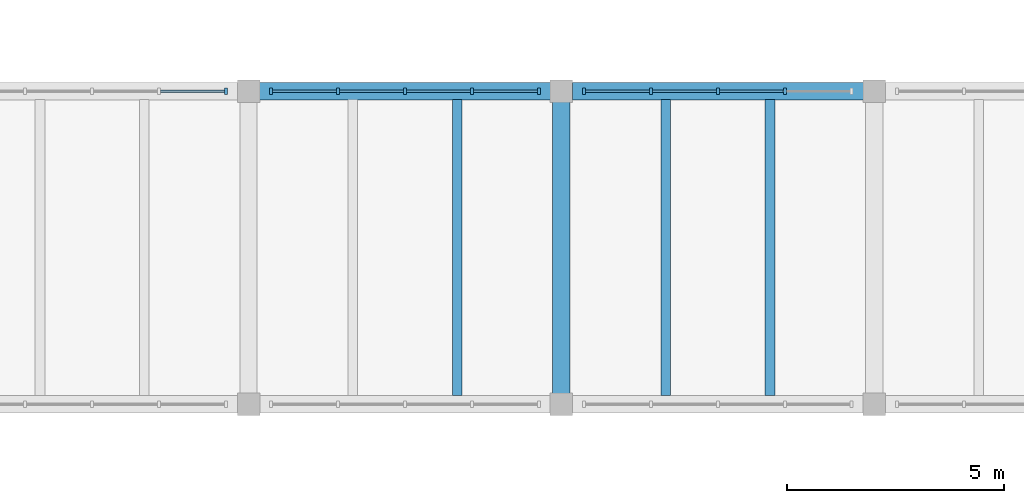
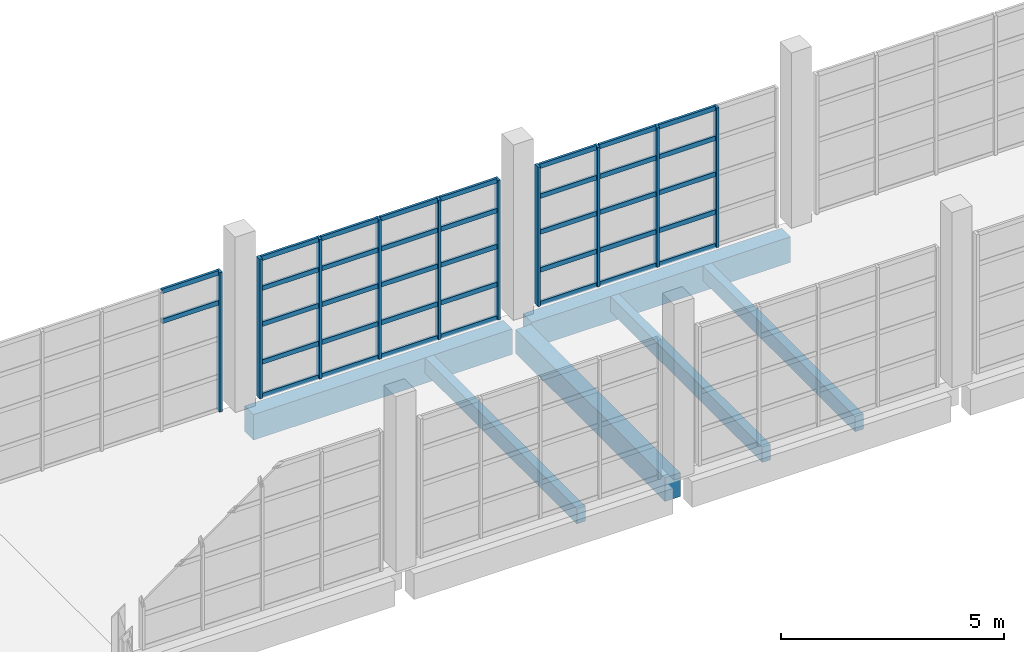
# One storey, part 40 of 77: 47 members, 6 beams, 3 elements without a shape of their own.
"""IFC4 building model written with IfcOpenShell, lengths in metres."""

from ifc_helpers import new_model, si_unit, direction, frame, origin, origin_2d, place, context, subcontext, project, spatial, rectangle, extrude, material, material_profile, profile_set, type_object, element, aggregate, save


model = new_model("IFC4")

# Units and contexts
model_context = context("Model", 3, precision=1e-05, world=origin(), true_north=direction((0.0, 1.0)))
body_context = subcontext(model_context, "Body", "Model", "MODEL_VIEW")
ifc_project = project(units=[si_unit("LENGTHUNIT", "METRE"), si_unit("AREAUNIT", "SQUARE_METRE"), si_unit("VOLUMEUNIT", "CUBIC_METRE"), si_unit("PLANEANGLEUNIT", "RADIAN"), si_unit("MASSUNIT", "GRAM", prefix="KILO")], contexts=[model_context])

# Site, building, storey
site_placement = place(None, origin())
site = spatial("IfcSite", under=ifc_project, at=site_placement, CompositionType="ELEMENT")
building_placement = place(site_placement, origin())
building = spatial("IfcBuilding", under=site, at=building_placement, Name="Qiaolan Assembly House", CompositionType="ELEMENT")
storey_placement = place(building_placement, frame((0.0, 0.0, 5.39990234375)))
storey = spatial("IfcBuildingStorey", under=building, at=storey_placement, Name="L01", CompositionType="ELEMENT", Elevation=5.39990234375)

# Beams
ifc_material_1 = material(Name="Concrete C40/50", Category="concrete")
ifc_material_profile_1 = material_profile(ifc_material_1, rectangle(XDim=0.39990234375, YDim=0.64990234375, at=origin_2d()), Name="RCB 400x650")
ifc_profile_set_1 = profile_set([ifc_material_profile_1], Name="Concrete C40/50")
beam_type_1 = type_object("IfcBeamType", Name="BM-RC-400x650", PredefinedType="BEAM", material=ifc_profile_set_1)
beam_1_placement = place(storey_placement, frame((122.39990234375, 79.449951171875, -0.594970703125), z_axis=(0.0, 1.0, 0.0), x_axis=(-1.0, 0.0, 0.0)))
element("IfcBeam", 1, at=beam_1_placement, inside=storey, type_object=beam_type_1, Name="GB-06 beam BMY-CLN-L01-02-00", PredefinedType="BEAM", context=body_context, shape_type="SweptSolid", body=[
    extrude(rectangle(XDim=0.39990234375, YDim=0.64990234375, at=origin_2d()), origin(), (0.0, 0.0, 1.0), 6.699951171875),
])
ifc_material_profile_2 = material_profile(ifc_material_1, rectangle(XDim=0.39990234375, YDim=0.699951171875, at=origin_2d()), Name="RCB 400x700")
ifc_profile_set_2 = profile_set([ifc_material_profile_2], Name="Concrete C40/50")
beam_type_2 = type_object("IfcBeamType", Name="BM-RC-400x700", PredefinedType="BEAM", material=ifc_profile_set_2)
beam_2_placement = place(storey_placement, frame((115.449951171875, 86.39990234375, -0.619873046875), z_axis=(1.0, 0.0, 0.0), x_axis=(0.0, 1.0, 0.0)))
element("IfcBeam", 2, at=beam_2_placement, inside=storey, type_object=beam_type_2, Name="GB-05 beam BMX-CLN-L01-01-01", PredefinedType="BEAM", context=body_context, shape_type="SweptSolid", body=[
    extrude(rectangle(XDim=0.39990234375, YDim=0.699951171875, at=origin_2d()), origin(), (0.0, 0.0, 1.0), 6.699951171875),
])
beam_3_placement = place(storey_placement, frame((122.64990234375, 86.39990234375, -0.619873046875), z_axis=(1.0, 0.0, 0.0), x_axis=(0.0, 1.0, 0.0)))
element("IfcBeam", 3, at=beam_3_placement, inside=storey, type_object=beam_type_2, Name="GB-05 beam BMX-CLN-L01-02-01", PredefinedType="BEAM", context=body_context, shape_type="SweptSolid", body=[
    extrude(rectangle(XDim=0.39990234375, YDim=0.699951171875, at=origin_2d()), origin(), (0.0, 0.0, 1.0), 6.7001953125),
])

# Curtain wall, member
ifc_material_2 = material(Name="Anodised bronze aluminium", Category="aluminium")
curtain_wall_type = type_object("IfcCurtainWallType", Name="CW-CLOISTER-420", PredefinedType="NOTDEFINED", material=ifc_material_2)
curtain_wall_1_placement = place(storey_placement, origin())
curtain_wall_1 = element("IfcCurtainWall", 4, at=curtain_wall_1_placement, inside=storey, type_object=curtain_wall_type, Name="CW-05 North Cloister outer arcade L01-1", PredefinedType="NOTDEFINED")
ifc_material_profile_3 = material_profile(ifc_material_2, rectangle(XDim=0.070068359375, YDim=0.155029296875, at=origin_2d()), Name="MUL 70x155")
ifc_profile_set_3 = profile_set([ifc_material_profile_3], Name="Anodised bronze aluminium")
member_type_1 = type_object("IfcMemberType", Name="CW-CLOISTER-420-MUL", PredefinedType="MULLION", material=ifc_profile_set_3)
member_1_placement = place(storey_placement, frame((114.679931640625, 86.39990234375, 0.0), z_axis=(0.0, 0.0, 1.0), x_axis=(-1.0, 0.0, 0.0)))
member_1 = element("IfcMember", 5, at=member_1_placement, type_object=member_type_1, Name="ML-06 mullion CW-CLN-OUT-L01-0-1", PredefinedType="MULLION", context=body_context, shape_type="SweptSolid", body=[
    extrude(rectangle(XDim=0.070068359375, YDim=0.155029296875, at=origin_2d()), origin(), (0.0, 0.0, 1.0), 3.820068359375),
])

# Curtain wall, members
curtain_wall_2_placement = place(storey_placement, origin())
curtain_wall_2 = element("IfcCurtainWall", 6, at=curtain_wall_2_placement, inside=storey, type_object=curtain_wall_type, Name="CW-05 North Cloister outer arcade L01-2", PredefinedType="NOTDEFINED")
member_2_placement = place(storey_placement, frame((121.8798828125, 86.39990234375, 0.0), z_axis=(0.0, 0.0, 1.0), x_axis=(-1.0, 0.0, 0.0)))
member_2 = element("IfcMember", 7, at=member_2_placement, type_object=member_type_1, Name="ML-06 mullion CW-CLN-OUT-L01-1-1", PredefinedType="MULLION", context=body_context, shape_type="SweptSolid", body=[
    extrude(rectangle(XDim=0.070068359375, YDim=0.155029296875, at=origin_2d()), origin(), (0.0, 0.0, 1.0), 3.820068359375),
])
member_3_placement = place(storey_placement, frame((120.340087890625, 86.39990234375, 0.0), z_axis=(0.0, 0.0, 1.0), x_axis=(-1.0, 0.0, 0.0)))
member_3 = element("IfcMember", 8, at=member_3_placement, type_object=member_type_1, Name="ML-06 mullion CW-CLN-OUT-L01-1-2", PredefinedType="MULLION", context=body_context, shape_type="SweptSolid", body=[
    extrude(rectangle(XDim=0.070068359375, YDim=0.155029296875, at=origin_2d()), origin(), (0.0, 0.0, 1.0), 3.820068359375),
])
member_4_placement = place(storey_placement, frame((118.800048828125, 86.39990234375, 0.0), z_axis=(0.0, 0.0, 1.0), x_axis=(-1.0, 0.0, 0.0)))
member_4 = element("IfcMember", 9, at=member_4_placement, type_object=member_type_1, Name="ML-06 mullion CW-CLN-OUT-L01-1-3", PredefinedType="MULLION", context=body_context, shape_type="SweptSolid", body=[
    extrude(rectangle(XDim=0.070068359375, YDim=0.155029296875, at=origin_2d()), origin(), (0.0, 0.0, 1.0), 3.820068359375),
])
member_5_placement = place(storey_placement, frame((117.260009765625, 86.39990234375, 0.0), z_axis=(0.0, 0.0, 1.0), x_axis=(-1.0, 0.0, 0.0)))
member_5 = element("IfcMember", 10, at=member_5_placement, type_object=member_type_1, Name="ML-06 mullion CW-CLN-OUT-L01-1-4", PredefinedType="MULLION", context=body_context, shape_type="SweptSolid", body=[
    extrude(rectangle(XDim=0.070068359375, YDim=0.155029296875, at=origin_2d()), origin(), (0.0, 0.0, 1.0), 3.820068359375),
])
member_6_placement = place(storey_placement, frame((115.719970703125, 86.39990234375, 0.0), z_axis=(0.0, 0.0, 1.0), x_axis=(-1.0, 0.0, 0.0)))
member_6 = element("IfcMember", 11, at=member_6_placement, type_object=member_type_1, Name="ML-06 mullion CW-CLN-OUT-L01-1-5", PredefinedType="MULLION", context=body_context, shape_type="SweptSolid", body=[
    extrude(rectangle(XDim=0.070068359375, YDim=0.155029296875, at=origin_2d()), origin(), (0.0, 0.0, 1.0), 3.820068359375),
])

curtain_wall_3_placement = place(storey_placement, origin())
curtain_wall_3 = element("IfcCurtainWall", 12, at=curtain_wall_3_placement, inside=storey, type_object=curtain_wall_type, Name="CW-05 North Cloister outer arcade L01-3", PredefinedType="NOTDEFINED")
member_7_placement = place(storey_placement, frame((127.5400390625, 86.39990234375, 0.0), z_axis=(0.0, 0.0, 1.0), x_axis=(-1.0, 0.0, 0.0)))
member_7 = element("IfcMember", 13, at=member_7_placement, type_object=member_type_1, Name="ML-06 mullion CW-CLN-OUT-L01-2-2", PredefinedType="MULLION", context=body_context, shape_type="SweptSolid", body=[
    extrude(rectangle(XDim=0.070068359375, YDim=0.155029296875, at=origin_2d()), origin(), (0.0, 0.0, 1.0), 3.820068359375),
])
member_8_placement = place(storey_placement, frame((126.0, 86.39990234375, 0.0), z_axis=(0.0, 0.0, 1.0), x_axis=(-1.0, 0.0, 0.0)))
member_8 = element("IfcMember", 14, at=member_8_placement, type_object=member_type_1, Name="ML-06 mullion CW-CLN-OUT-L01-2-3", PredefinedType="MULLION", context=body_context, shape_type="SweptSolid", body=[
    extrude(rectangle(XDim=0.070068359375, YDim=0.155029296875, at=origin_2d()), origin(), (0.0, 0.0, 1.0), 3.820068359375),
])
member_9_placement = place(storey_placement, frame((124.4599609375, 86.39990234375, 0.0), z_axis=(0.0, 0.0, 1.0), x_axis=(-1.0, 0.0, 0.0)))
member_9 = element("IfcMember", 15, at=member_9_placement, type_object=member_type_1, Name="ML-06 mullion CW-CLN-OUT-L01-2-4", PredefinedType="MULLION", context=body_context, shape_type="SweptSolid", body=[
    extrude(rectangle(XDim=0.070068359375, YDim=0.155029296875, at=origin_2d()), origin(), (0.0, 0.0, 1.0), 3.820068359375),
])
member_10_placement = place(storey_placement, frame((122.919921875, 86.39990234375, 0.0), z_axis=(0.0, 0.0, 1.0), x_axis=(-1.0, 0.0, 0.0)))
member_10 = element("IfcMember", 16, at=member_10_placement, type_object=member_type_1, Name="ML-06 mullion CW-CLN-OUT-L01-2-5", PredefinedType="MULLION", context=body_context, shape_type="SweptSolid", body=[
    extrude(rectangle(XDim=0.070068359375, YDim=0.155029296875, at=origin_2d()), origin(), (0.0, 0.0, 1.0), 3.820068359375),
])

# Member
ifc_material_profile_4 = material_profile(ifc_material_2, rectangle(XDim=0.06201171875, YDim=0.125, at=origin_2d()), Name="TRN 62x125")
ifc_profile_set_4 = profile_set([ifc_material_profile_4], Name="Anodised bronze aluminium")
member_type_2 = type_object("IfcMemberType", Name="CW-CLOISTER-420-TRN", PredefinedType="USERDEFINED", material=ifc_profile_set_4)
member_11_placement = place(storey_placement, frame((114.64501953125, 86.39990234375, 2.97021484375), z_axis=(-1.0, 0.0, 0.0), x_axis=(0.0, -1.0, 0.0)))
member_11 = element("IfcMember", 17, at=member_11_placement, type_object=member_type_2, Name="TR-06 transom CW-CLN-OUT-L01-0-1-4", ObjectType="TRANSOM", PredefinedType="USERDEFINED", context=body_context, shape_type="SweptSolid", body=[
    extrude(rectangle(XDim=0.06201171875, YDim=0.125, at=origin_2d()), origin(), (0.0, 0.0, 1.0), 1.469970703125),
])

member_12_placement = place(storey_placement, frame((114.64501953125, 86.39990234375, 3.7900390625), z_axis=(-1.0, 0.0, 0.0), x_axis=(0.0, -1.0, 0.0)))
member_12 = element("IfcMember", 18, at=member_12_placement, type_object=member_type_2, Name="TR-06 transom CW-CLN-OUT-L01-0-1-5", ObjectType="TRANSOM", PredefinedType="USERDEFINED", context=body_context, shape_type="SweptSolid", body=[
    extrude(rectangle(XDim=0.06201171875, YDim=0.125, at=origin_2d()), origin(), (0.0, 0.0, 1.0), 1.469970703125),
])

aggregate(curtain_wall_1, [member_1, member_11, member_12])

member_13_placement = place(storey_placement, frame((121.844970703125, 86.39990234375, 0.030029296875), z_axis=(-1.0, 0.0, 0.0), x_axis=(0.0, -1.0, 0.0)))
member_13 = element("IfcMember", 19, at=member_13_placement, type_object=member_type_2, Name="TR-06 transom CW-CLN-OUT-L01-1-1-1", ObjectType="TRANSOM", PredefinedType="USERDEFINED", context=body_context, shape_type="SweptSolid", body=[
    extrude(rectangle(XDim=0.06201171875, YDim=0.125, at=origin_2d()), origin(), (0.0, 0.0, 1.0), 1.469970703125),
])

member_14_placement = place(storey_placement, frame((121.844970703125, 86.39990234375, 0.9501953125), z_axis=(-1.0, 0.0, 0.0), x_axis=(0.0, -1.0, 0.0)))
member_14 = element("IfcMember", 20, at=member_14_placement, type_object=member_type_2, Name="TR-06 transom CW-CLN-OUT-L01-1-1-2", ObjectType="TRANSOM", PredefinedType="USERDEFINED", context=body_context, shape_type="SweptSolid", body=[
    extrude(rectangle(XDim=0.06201171875, YDim=0.125, at=origin_2d()), origin(), (0.0, 0.0, 1.0), 1.469970703125),
])

member_15_placement = place(storey_placement, frame((121.844970703125, 86.39990234375, 1.986572265625), z_axis=(-1.0, 0.0, 0.0), x_axis=(0.0, -1.0, 0.0)))
member_15 = element("IfcMember", 21, at=member_15_placement, type_object=member_type_2, Name="TR-06 transom CW-CLN-OUT-L01-1-1-3", ObjectType="TRANSOM", PredefinedType="USERDEFINED", context=body_context, shape_type="SweptSolid", body=[
    extrude(rectangle(XDim=0.06201171875, YDim=0.125, at=origin_2d()), origin(), (0.0, 0.0, 1.0), 1.469970703125),
])

member_16_placement = place(storey_placement, frame((121.844970703125, 86.39990234375, 2.97021484375), z_axis=(-1.0, 0.0, 0.0), x_axis=(0.0, -1.0, 0.0)))
member_16 = element("IfcMember", 22, at=member_16_placement, type_object=member_type_2, Name="TR-06 transom CW-CLN-OUT-L01-1-1-4", ObjectType="TRANSOM", PredefinedType="USERDEFINED", context=body_context, shape_type="SweptSolid", body=[
    extrude(rectangle(XDim=0.06201171875, YDim=0.125, at=origin_2d()), origin(), (0.0, 0.0, 1.0), 1.469970703125),
])

member_17_placement = place(storey_placement, frame((121.844970703125, 86.39990234375, 3.7900390625), z_axis=(-1.0, 0.0, 0.0), x_axis=(0.0, -1.0, 0.0)))
member_17 = element("IfcMember", 23, at=member_17_placement, type_object=member_type_2, Name="TR-06 transom CW-CLN-OUT-L01-1-1-5", ObjectType="TRANSOM", PredefinedType="USERDEFINED", context=body_context, shape_type="SweptSolid", body=[
    extrude(rectangle(XDim=0.06201171875, YDim=0.125, at=origin_2d()), origin(), (0.0, 0.0, 1.0), 1.469970703125),
])

member_18_placement = place(storey_placement, frame((120.304931640625, 86.39990234375, 0.030029296875), z_axis=(-1.0, 0.0, 0.0), x_axis=(0.0, -1.0, 0.0)))
member_18 = element("IfcMember", 24, at=member_18_placement, type_object=member_type_2, Name="TR-06 transom CW-CLN-OUT-L01-1-2-1", ObjectType="TRANSOM", PredefinedType="USERDEFINED", context=body_context, shape_type="SweptSolid", body=[
    extrude(rectangle(XDim=0.06201171875, YDim=0.125, at=origin_2d()), origin(), (0.0, 0.0, 1.0), 1.469970703125),
])

member_19_placement = place(storey_placement, frame((120.304931640625, 86.39990234375, 0.9501953125), z_axis=(-1.0, 0.0, 0.0), x_axis=(0.0, -1.0, 0.0)))
member_19 = element("IfcMember", 25, at=member_19_placement, type_object=member_type_2, Name="TR-06 transom CW-CLN-OUT-L01-1-2-2", ObjectType="TRANSOM", PredefinedType="USERDEFINED", context=body_context, shape_type="SweptSolid", body=[
    extrude(rectangle(XDim=0.06201171875, YDim=0.125, at=origin_2d()), origin(), (0.0, 0.0, 1.0), 1.469970703125),
])

member_20_placement = place(storey_placement, frame((120.304931640625, 86.39990234375, 1.986572265625), z_axis=(-1.0, 0.0, 0.0), x_axis=(0.0, -1.0, 0.0)))
member_20 = element("IfcMember", 26, at=member_20_placement, type_object=member_type_2, Name="TR-06 transom CW-CLN-OUT-L01-1-2-3", ObjectType="TRANSOM", PredefinedType="USERDEFINED", context=body_context, shape_type="SweptSolid", body=[
    extrude(rectangle(XDim=0.06201171875, YDim=0.125, at=origin_2d()), origin(), (0.0, 0.0, 1.0), 1.469970703125),
])

member_21_placement = place(storey_placement, frame((120.304931640625, 86.39990234375, 2.97021484375), z_axis=(-1.0, 0.0, 0.0), x_axis=(0.0, -1.0, 0.0)))
member_21 = element("IfcMember", 27, at=member_21_placement, type_object=member_type_2, Name="TR-06 transom CW-CLN-OUT-L01-1-2-4", ObjectType="TRANSOM", PredefinedType="USERDEFINED", context=body_context, shape_type="SweptSolid", body=[
    extrude(rectangle(XDim=0.06201171875, YDim=0.125, at=origin_2d()), origin(), (0.0, 0.0, 1.0), 1.469970703125),
])

member_22_placement = place(storey_placement, frame((120.304931640625, 86.39990234375, 3.7900390625), z_axis=(-1.0, 0.0, 0.0), x_axis=(0.0, -1.0, 0.0)))
member_22 = element("IfcMember", 28, at=member_22_placement, type_object=member_type_2, Name="TR-06 transom CW-CLN-OUT-L01-1-2-5", ObjectType="TRANSOM", PredefinedType="USERDEFINED", context=body_context, shape_type="SweptSolid", body=[
    extrude(rectangle(XDim=0.06201171875, YDim=0.125, at=origin_2d()), origin(), (0.0, 0.0, 1.0), 1.469970703125),
])

member_23_placement = place(storey_placement, frame((118.764892578125, 86.39990234375, 0.030029296875), z_axis=(-1.0, 0.0, 0.0), x_axis=(0.0, -1.0, 0.0)))
member_23 = element("IfcMember", 29, at=member_23_placement, type_object=member_type_2, Name="TR-06 transom CW-CLN-OUT-L01-1-3-1", ObjectType="TRANSOM", PredefinedType="USERDEFINED", context=body_context, shape_type="SweptSolid", body=[
    extrude(rectangle(XDim=0.06201171875, YDim=0.125, at=origin_2d()), origin(), (0.0, 0.0, 1.0), 1.469970703125),
])

member_24_placement = place(storey_placement, frame((118.764892578125, 86.39990234375, 0.9501953125), z_axis=(-1.0, 0.0, 0.0), x_axis=(0.0, -1.0, 0.0)))
member_24 = element("IfcMember", 30, at=member_24_placement, type_object=member_type_2, Name="TR-06 transom CW-CLN-OUT-L01-1-3-2", ObjectType="TRANSOM", PredefinedType="USERDEFINED", context=body_context, shape_type="SweptSolid", body=[
    extrude(rectangle(XDim=0.06201171875, YDim=0.125, at=origin_2d()), origin(), (0.0, 0.0, 1.0), 1.469970703125),
])

member_25_placement = place(storey_placement, frame((118.764892578125, 86.39990234375, 1.986572265625), z_axis=(-1.0, 0.0, 0.0), x_axis=(0.0, -1.0, 0.0)))
member_25 = element("IfcMember", 31, at=member_25_placement, type_object=member_type_2, Name="TR-06 transom CW-CLN-OUT-L01-1-3-3", ObjectType="TRANSOM", PredefinedType="USERDEFINED", context=body_context, shape_type="SweptSolid", body=[
    extrude(rectangle(XDim=0.06201171875, YDim=0.125, at=origin_2d()), origin(), (0.0, 0.0, 1.0), 1.469970703125),
])

member_26_placement = place(storey_placement, frame((118.764892578125, 86.39990234375, 2.97021484375), z_axis=(-1.0, 0.0, 0.0), x_axis=(0.0, -1.0, 0.0)))
member_26 = element("IfcMember", 32, at=member_26_placement, type_object=member_type_2, Name="TR-06 transom CW-CLN-OUT-L01-1-3-4", ObjectType="TRANSOM", PredefinedType="USERDEFINED", context=body_context, shape_type="SweptSolid", body=[
    extrude(rectangle(XDim=0.06201171875, YDim=0.125, at=origin_2d()), origin(), (0.0, 0.0, 1.0), 1.469970703125),
])

member_27_placement = place(storey_placement, frame((118.764892578125, 86.39990234375, 3.7900390625), z_axis=(-1.0, 0.0, 0.0), x_axis=(0.0, -1.0, 0.0)))
member_27 = element("IfcMember", 33, at=member_27_placement, type_object=member_type_2, Name="TR-06 transom CW-CLN-OUT-L01-1-3-5", ObjectType="TRANSOM", PredefinedType="USERDEFINED", context=body_context, shape_type="SweptSolid", body=[
    extrude(rectangle(XDim=0.06201171875, YDim=0.125, at=origin_2d()), origin(), (0.0, 0.0, 1.0), 1.469970703125),
])

member_28_placement = place(storey_placement, frame((117.22509765625, 86.39990234375, 0.030029296875), z_axis=(-1.0, 0.0, 0.0), x_axis=(0.0, -1.0, 0.0)))
member_28 = element("IfcMember", 34, at=member_28_placement, type_object=member_type_2, Name="TR-06 transom CW-CLN-OUT-L01-1-4-1", ObjectType="TRANSOM", PredefinedType="USERDEFINED", context=body_context, shape_type="SweptSolid", body=[
    extrude(rectangle(XDim=0.06201171875, YDim=0.125, at=origin_2d()), origin(), (0.0, 0.0, 1.0), 1.47021484375),
])

member_29_placement = place(storey_placement, frame((117.22509765625, 86.39990234375, 0.9501953125), z_axis=(-1.0, 0.0, 0.0), x_axis=(0.0, -1.0, 0.0)))
member_29 = element("IfcMember", 35, at=member_29_placement, type_object=member_type_2, Name="TR-06 transom CW-CLN-OUT-L01-1-4-2", ObjectType="TRANSOM", PredefinedType="USERDEFINED", context=body_context, shape_type="SweptSolid", body=[
    extrude(rectangle(XDim=0.06201171875, YDim=0.125, at=origin_2d()), origin(), (0.0, 0.0, 1.0), 1.47021484375),
])

member_30_placement = place(storey_placement, frame((117.22509765625, 86.39990234375, 1.986572265625), z_axis=(-1.0, 0.0, 0.0), x_axis=(0.0, -1.0, 0.0)))
member_30 = element("IfcMember", 36, at=member_30_placement, type_object=member_type_2, Name="TR-06 transom CW-CLN-OUT-L01-1-4-3", ObjectType="TRANSOM", PredefinedType="USERDEFINED", context=body_context, shape_type="SweptSolid", body=[
    extrude(rectangle(XDim=0.06201171875, YDim=0.125, at=origin_2d()), origin(), (0.0, 0.0, 1.0), 1.47021484375),
])

member_31_placement = place(storey_placement, frame((117.22509765625, 86.39990234375, 2.97021484375), z_axis=(-1.0, 0.0, 0.0), x_axis=(0.0, -1.0, 0.0)))
member_31 = element("IfcMember", 37, at=member_31_placement, type_object=member_type_2, Name="TR-06 transom CW-CLN-OUT-L01-1-4-4", ObjectType="TRANSOM", PredefinedType="USERDEFINED", context=body_context, shape_type="SweptSolid", body=[
    extrude(rectangle(XDim=0.06201171875, YDim=0.125, at=origin_2d()), origin(), (0.0, 0.0, 1.0), 1.47021484375),
])

member_32_placement = place(storey_placement, frame((117.22509765625, 86.39990234375, 3.7900390625), z_axis=(-1.0, 0.0, 0.0), x_axis=(0.0, -1.0, 0.0)))
member_32 = element("IfcMember", 38, at=member_32_placement, type_object=member_type_2, Name="TR-06 transom CW-CLN-OUT-L01-1-4-5", ObjectType="TRANSOM", PredefinedType="USERDEFINED", context=body_context, shape_type="SweptSolid", body=[
    extrude(rectangle(XDim=0.06201171875, YDim=0.125, at=origin_2d()), origin(), (0.0, 0.0, 1.0), 1.47021484375),
])

aggregate(curtain_wall_2, [member_2, member_3, member_4, member_5, member_6, member_13, member_14, member_15, member_16, member_17, member_18, member_19, member_20, member_21, member_22, member_23, member_24, member_25, member_26, member_27, member_28, member_29, member_30, member_31, member_32])

member_33_placement = place(storey_placement, frame((127.5048828125, 86.39990234375, 0.030029296875), z_axis=(-1.0, 0.0, 0.0), x_axis=(0.0, -1.0, 0.0)))
member_33 = element("IfcMember", 39, at=member_33_placement, type_object=member_type_2, Name="TR-06 transom CW-CLN-OUT-L01-2-2-1", ObjectType="TRANSOM", PredefinedType="USERDEFINED", context=body_context, shape_type="SweptSolid", body=[
    extrude(rectangle(XDim=0.06201171875, YDim=0.125, at=origin_2d()), origin(), (0.0, 0.0, 1.0), 1.469970703125),
])

member_34_placement = place(storey_placement, frame((127.5048828125, 86.39990234375, 0.9501953125), z_axis=(-1.0, 0.0, 0.0), x_axis=(0.0, -1.0, 0.0)))
member_34 = element("IfcMember", 40, at=member_34_placement, type_object=member_type_2, Name="TR-06 transom CW-CLN-OUT-L01-2-2-2", ObjectType="TRANSOM", PredefinedType="USERDEFINED", context=body_context, shape_type="SweptSolid", body=[
    extrude(rectangle(XDim=0.06201171875, YDim=0.125, at=origin_2d()), origin(), (0.0, 0.0, 1.0), 1.469970703125),
])

member_35_placement = place(storey_placement, frame((127.5048828125, 86.39990234375, 1.986572265625), z_axis=(-1.0, 0.0, 0.0), x_axis=(0.0, -1.0, 0.0)))
member_35 = element("IfcMember", 41, at=member_35_placement, type_object=member_type_2, Name="TR-06 transom CW-CLN-OUT-L01-2-2-3", ObjectType="TRANSOM", PredefinedType="USERDEFINED", context=body_context, shape_type="SweptSolid", body=[
    extrude(rectangle(XDim=0.06201171875, YDim=0.125, at=origin_2d()), origin(), (0.0, 0.0, 1.0), 1.469970703125),
])

member_36_placement = place(storey_placement, frame((127.5048828125, 86.39990234375, 2.97021484375), z_axis=(-1.0, 0.0, 0.0), x_axis=(0.0, -1.0, 0.0)))
member_36 = element("IfcMember", 42, at=member_36_placement, type_object=member_type_2, Name="TR-06 transom CW-CLN-OUT-L01-2-2-4", ObjectType="TRANSOM", PredefinedType="USERDEFINED", context=body_context, shape_type="SweptSolid", body=[
    extrude(rectangle(XDim=0.06201171875, YDim=0.125, at=origin_2d()), origin(), (0.0, 0.0, 1.0), 1.469970703125),
])

member_37_placement = place(storey_placement, frame((127.5048828125, 86.39990234375, 3.7900390625), z_axis=(-1.0, 0.0, 0.0), x_axis=(0.0, -1.0, 0.0)))
member_37 = element("IfcMember", 43, at=member_37_placement, type_object=member_type_2, Name="TR-06 transom CW-CLN-OUT-L01-2-2-5", ObjectType="TRANSOM", PredefinedType="USERDEFINED", context=body_context, shape_type="SweptSolid", body=[
    extrude(rectangle(XDim=0.06201171875, YDim=0.125, at=origin_2d()), origin(), (0.0, 0.0, 1.0), 1.469970703125),
])

member_38_placement = place(storey_placement, frame((125.965087890625, 86.39990234375, 0.030029296875), z_axis=(-1.0, 0.0, 0.0), x_axis=(0.0, -1.0, 0.0)))
member_38 = element("IfcMember", 44, at=member_38_placement, type_object=member_type_2, Name="TR-06 transom CW-CLN-OUT-L01-2-3-1", ObjectType="TRANSOM", PredefinedType="USERDEFINED", context=body_context, shape_type="SweptSolid", body=[
    extrude(rectangle(XDim=0.06201171875, YDim=0.125, at=origin_2d()), origin(), (0.0, 0.0, 1.0), 1.469970703125),
])

member_39_placement = place(storey_placement, frame((125.965087890625, 86.39990234375, 0.9501953125), z_axis=(-1.0, 0.0, 0.0), x_axis=(0.0, -1.0, 0.0)))
member_39 = element("IfcMember", 45, at=member_39_placement, type_object=member_type_2, Name="TR-06 transom CW-CLN-OUT-L01-2-3-2", ObjectType="TRANSOM", PredefinedType="USERDEFINED", context=body_context, shape_type="SweptSolid", body=[
    extrude(rectangle(XDim=0.06201171875, YDim=0.125, at=origin_2d()), origin(), (0.0, 0.0, 1.0), 1.469970703125),
])

member_40_placement = place(storey_placement, frame((125.965087890625, 86.39990234375, 1.986572265625), z_axis=(-1.0, 0.0, 0.0), x_axis=(0.0, -1.0, 0.0)))
member_40 = element("IfcMember", 46, at=member_40_placement, type_object=member_type_2, Name="TR-06 transom CW-CLN-OUT-L01-2-3-3", ObjectType="TRANSOM", PredefinedType="USERDEFINED", context=body_context, shape_type="SweptSolid", body=[
    extrude(rectangle(XDim=0.06201171875, YDim=0.125, at=origin_2d()), origin(), (0.0, 0.0, 1.0), 1.469970703125),
])

member_41_placement = place(storey_placement, frame((125.965087890625, 86.39990234375, 2.97021484375), z_axis=(-1.0, 0.0, 0.0), x_axis=(0.0, -1.0, 0.0)))
member_41 = element("IfcMember", 47, at=member_41_placement, type_object=member_type_2, Name="TR-06 transom CW-CLN-OUT-L01-2-3-4", ObjectType="TRANSOM", PredefinedType="USERDEFINED", context=body_context, shape_type="SweptSolid", body=[
    extrude(rectangle(XDim=0.06201171875, YDim=0.125, at=origin_2d()), origin(), (0.0, 0.0, 1.0), 1.469970703125),
])

member_42_placement = place(storey_placement, frame((125.965087890625, 86.39990234375, 3.7900390625), z_axis=(-1.0, 0.0, 0.0), x_axis=(0.0, -1.0, 0.0)))
member_42 = element("IfcMember", 48, at=member_42_placement, type_object=member_type_2, Name="TR-06 transom CW-CLN-OUT-L01-2-3-5", ObjectType="TRANSOM", PredefinedType="USERDEFINED", context=body_context, shape_type="SweptSolid", body=[
    extrude(rectangle(XDim=0.06201171875, YDim=0.125, at=origin_2d()), origin(), (0.0, 0.0, 1.0), 1.469970703125),
])

member_43_placement = place(storey_placement, frame((124.425048828125, 86.39990234375, 0.030029296875), z_axis=(-1.0, 0.0, 0.0), x_axis=(0.0, -1.0, 0.0)))
member_43 = element("IfcMember", 49, at=member_43_placement, type_object=member_type_2, Name="TR-06 transom CW-CLN-OUT-L01-2-4-1", ObjectType="TRANSOM", PredefinedType="USERDEFINED", context=body_context, shape_type="SweptSolid", body=[
    extrude(rectangle(XDim=0.06201171875, YDim=0.125, at=origin_2d()), origin(), (0.0, 0.0, 1.0), 1.469970703125),
])

member_44_placement = place(storey_placement, frame((124.425048828125, 86.39990234375, 0.9501953125), z_axis=(-1.0, 0.0, 0.0), x_axis=(0.0, -1.0, 0.0)))
member_44 = element("IfcMember", 50, at=member_44_placement, type_object=member_type_2, Name="TR-06 transom CW-CLN-OUT-L01-2-4-2", ObjectType="TRANSOM", PredefinedType="USERDEFINED", context=body_context, shape_type="SweptSolid", body=[
    extrude(rectangle(XDim=0.06201171875, YDim=0.125, at=origin_2d()), origin(), (0.0, 0.0, 1.0), 1.469970703125),
])

member_45_placement = place(storey_placement, frame((124.425048828125, 86.39990234375, 1.986572265625), z_axis=(-1.0, 0.0, 0.0), x_axis=(0.0, -1.0, 0.0)))
member_45 = element("IfcMember", 51, at=member_45_placement, type_object=member_type_2, Name="TR-06 transom CW-CLN-OUT-L01-2-4-3", ObjectType="TRANSOM", PredefinedType="USERDEFINED", context=body_context, shape_type="SweptSolid", body=[
    extrude(rectangle(XDim=0.06201171875, YDim=0.125, at=origin_2d()), origin(), (0.0, 0.0, 1.0), 1.469970703125),
])

member_46_placement = place(storey_placement, frame((124.425048828125, 86.39990234375, 2.97021484375), z_axis=(-1.0, 0.0, 0.0), x_axis=(0.0, -1.0, 0.0)))
member_46 = element("IfcMember", 52, at=member_46_placement, type_object=member_type_2, Name="TR-06 transom CW-CLN-OUT-L01-2-4-4", ObjectType="TRANSOM", PredefinedType="USERDEFINED", context=body_context, shape_type="SweptSolid", body=[
    extrude(rectangle(XDim=0.06201171875, YDim=0.125, at=origin_2d()), origin(), (0.0, 0.0, 1.0), 1.469970703125),
])

member_47_placement = place(storey_placement, frame((124.425048828125, 86.39990234375, 3.7900390625), z_axis=(-1.0, 0.0, 0.0), x_axis=(0.0, -1.0, 0.0)))
member_47 = element("IfcMember", 53, at=member_47_placement, type_object=member_type_2, Name="TR-06 transom CW-CLN-OUT-L01-2-4-5", ObjectType="TRANSOM", PredefinedType="USERDEFINED", context=body_context, shape_type="SweptSolid", body=[
    extrude(rectangle(XDim=0.06201171875, YDim=0.125, at=origin_2d()), origin(), (0.0, 0.0, 1.0), 1.469970703125),
])

aggregate(curtain_wall_3, [member_7, member_8, member_9, member_10, member_33, member_34, member_35, member_36, member_37, member_38, member_39, member_40, member_41, member_42, member_43, member_44, member_45, member_46, member_47])

# Beams
ifc_material_profile_5 = material_profile(ifc_material_1, rectangle(XDim=0.219970703125, YDim=0.419921875, at=origin_2d()), Name="RCB 220x420")
ifc_profile_set_5 = profile_set([ifc_material_profile_5], Name="Concrete C40/50")
beam_type_3 = type_object("IfcBeamType", Name="JST-RC-220x420", PredefinedType="JOIST", material=ifc_profile_set_5)
for number, where, z_axis, x_axis, name in (
    (54, (120.0, 79.39404296875, -0.47998046875), (0.0, 1.0, 0.0), (-1.0, 0.0, 0.0), "RJ-03 beam JST-CLN-L01-01-00-2"),
    (55, (124.800048828125, 79.39404296875, -0.47998046875), (0.0, 1.0, 0.0), (-1.0, 0.0, 0.0), "RJ-03 beam JST-CLN-L01-02-00-1"),
    (56, (127.199951171875, 79.39404296875, -0.47998046875), (0.0, 1.0, 0.0), (-1.0, 0.0, 0.0), "RJ-03 beam JST-CLN-L01-02-00-2"),
):
    element("IfcBeam", number, at=place(storey_placement, frame(where, z_axis=z_axis, x_axis=x_axis)), inside=storey, type_object=beam_type_3, Name=name, PredefinedType="JOIST", context=body_context, shape_type="SweptSolid", body=[
        extrude(rectangle(XDim=0.219970703125, YDim=0.419921875, at=origin_2d()), origin(), (0.0, 0.0, 1.0), 6.81201171875),
    ])

save(model, "model.ifc")
